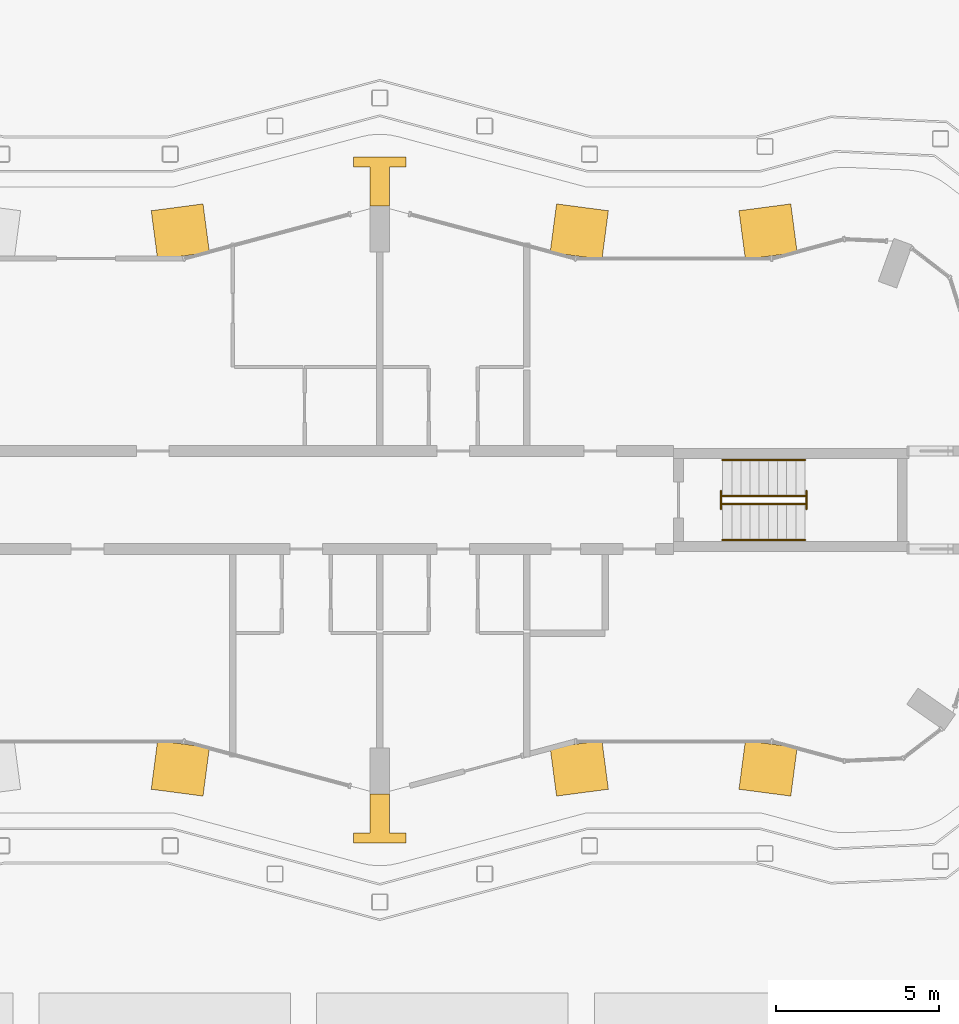
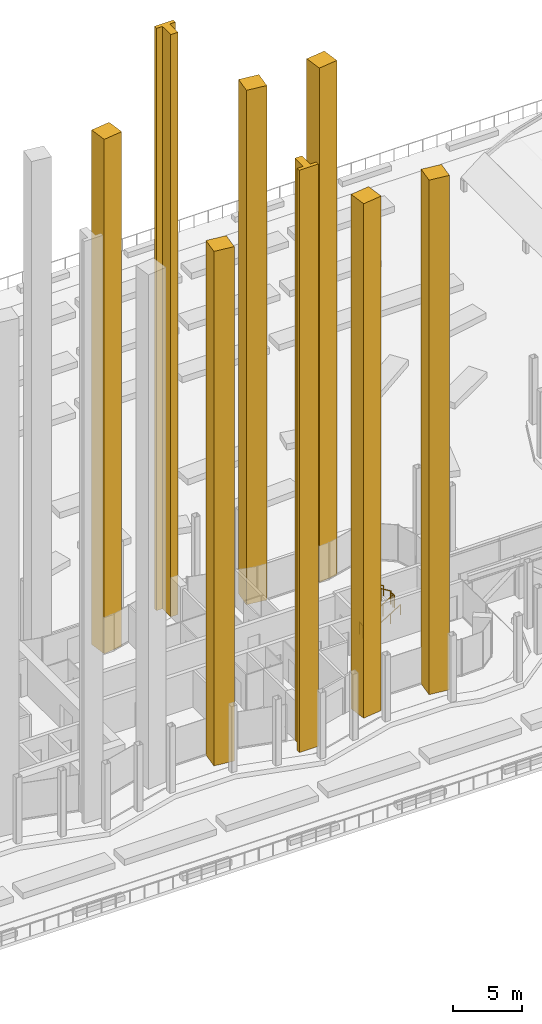
# One storey, part 31 of 33: 8 coverings, 6 railings.
"""IFC4 building model written with IfcOpenShell, lengths in metres."""

from ifc_helpers import new_model, si_unit, direction, frame, origin, origin_2d, place, context, subcontext, project, spatial, polyline, circle, outline, extrude, material, type_object, element, save


model = new_model("IFC4")

# Units and contexts
model_context = context("Model", 3, precision=1e-05, world=origin(), true_north=direction((0.0, 1.0)))
body_context = subcontext(model_context, "Body", "Model", "MODEL_VIEW")
ifc_project = project(units=[si_unit("LENGTHUNIT", "METRE"), si_unit("AREAUNIT", "SQUARE_METRE"), si_unit("VOLUMEUNIT", "CUBIC_METRE"), si_unit("PLANEANGLEUNIT", "RADIAN"), si_unit("MASSUNIT", "GRAM", prefix="KILO")], contexts=[model_context])

# Site, building, storey
site_placement = place(None, origin())
site = spatial("IfcSite", under=ifc_project, at=site_placement, CompositionType="ELEMENT")
building_placement = place(site_placement, origin())
building = spatial("IfcBuilding", under=site, at=building_placement, Name="Plateau Cross Towers", CompositionType="ELEMENT")
storey_placement = place(building_placement, frame((0.0, 0.0, 26.800048828125)))
storey = spatial("IfcBuildingStorey", under=building, at=storey_placement, Name="L05", CompositionType="ELEMENT", Elevation=26.800048828125)

# Coverings
ifc_material_1 = material(Name="Light precast concrete cladding C40/50", Category="concrete")
covering_type_1 = type_object("IfcCoveringType", Name="Flute pier cladding 1600x1500", PredefinedType="CLADDING", material=ifc_material_1)
covering_1_placement = place(storey_placement, origin())
element("IfcCovering", 1, at=covering_1_placement, inside=storey, type_object=covering_type_1, Name="Flute pier", PredefinedType="CLADDING", context=body_context, shape_type="SweptSolid", body=[
    extrude(outline(polyline([(48.7822265625, 16.580322265625), (47.19580078125, 16.37158203125), (47.000244140625, 17.85888671875), (48.58642578125, 18.067626953125), (48.7822265625, 16.580322265625)])), origin(), (0.0, 0.0, 1.0), 45.5),
])
covering_2_placement = place(storey_placement, origin())
element("IfcCovering", 2, at=covering_2_placement, inside=storey, type_object=covering_type_1, Name="Flute pier", PredefinedType="CLADDING", context=body_context, shape_type="SweptSolid", body=[
    extrude(outline(polyline([(42.80419921875, 16.37158203125), (41.2177734375, 16.580322265625), (41.41357421875, 18.067626953125), (42.999755859375, 17.85888671875), (42.80419921875, 16.37158203125)])), origin(), (0.0, 0.0, 1.0), 45.5),
])
covering_3_placement = place(storey_placement, origin())
element("IfcCovering", 3, at=covering_3_placement, inside=storey, type_object=covering_type_1, Name="Flute pier", PredefinedType="CLADDING", context=body_context, shape_type="SweptSolid", body=[
    extrude(outline(polyline([(30.7822265625, 16.580322265625), (29.19580078125, 16.37158203125), (29.000244140625, 17.85888671875), (30.58642578125, 18.067626953125), (30.7822265625, 16.580322265625)])), origin(), (0.0, 0.0, 1.0), 45.5),
])
covering_4_placement = place(storey_placement, origin())
element("IfcCovering", 4, at=covering_4_placement, inside=storey, type_object=covering_type_1, Name="Flute pier", PredefinedType="CLADDING", context=body_context, shape_type="SweptSolid", body=[
    extrude(outline(polyline([(29.19580078125, 1.62841796875), (30.7822265625, 1.419677734375), (30.58642578125, -0.067626953125), (29.000244140625, 0.14111328125), (29.19580078125, 1.62841796875)])), origin(), (0.0, 0.0, 1.0), 45.5),
])
covering_5_placement = place(storey_placement, origin())
element("IfcCovering", 5, at=covering_5_placement, inside=storey, type_object=covering_type_1, Name="Flute pier", PredefinedType="CLADDING", context=body_context, shape_type="SweptSolid", body=[
    extrude(outline(polyline([(41.2177734375, 1.419677734375), (42.80419921875, 1.62841796875), (42.999755859375, 0.14111328125), (41.41357421875, -0.067626953125), (41.2177734375, 1.419677734375)])), origin(), (0.0, 0.0, 1.0), 45.5),
])
covering_6_placement = place(storey_placement, origin())
element("IfcCovering", 6, at=covering_6_placement, inside=storey, type_object=covering_type_1, Name="Flute pier", PredefinedType="CLADDING", context=body_context, shape_type="SweptSolid", body=[
    extrude(outline(polyline([(47.19580078125, 1.62841796875), (48.7822265625, 1.419677734375), (48.58642578125, -0.067626953125), (47.000244140625, 0.14111328125), (47.19580078125, 1.62841796875)])), origin(), (0.0, 0.0, 1.0), 45.5),
])
covering_type_2 = type_object("IfcCoveringType", Name="Pier fin cladding 1600x1500", PredefinedType="CLADDING", material=ifc_material_1)
covering_7_placement = place(storey_placement, origin())
element("IfcCovering", 7, at=covering_7_placement, inside=storey, type_object=covering_type_2, Name="Pier fin PR2", PredefinedType="CLADDING", context=body_context, shape_type="SweptSolid", body=[
    extrude(outline(polyline([(35.699951171875, 0.0), (36.300048828125, 0.0), (36.300048828125, -1.199951171875), (36.800048828125, -1.199951171875), (36.800048828125, -1.5), (35.199951171875, -1.5), (35.199951171875, -1.199951171875), (35.699951171875, -1.199951171875), (35.699951171875, 0.0)])), origin(), (0.0, 0.0, 1.0), 51.5),
])
covering_8_placement = place(storey_placement, origin())
element("IfcCovering", 8, at=covering_8_placement, inside=storey, type_object=covering_type_2, Name="Pier fin PR5", PredefinedType="CLADDING", context=body_context, shape_type="SweptSolid", body=[
    extrude(outline(polyline([(35.699951171875, 18.0), (36.300048828125, 18.0), (36.300048828125, 19.199951171875), (36.800048828125, 19.199951171875), (36.800048828125, 19.5), (35.199951171875, 19.5), (35.199951171875, 19.199951171875), (35.699951171875, 19.199951171875), (35.699951171875, 18.0)])), origin(), (0.0, 0.0, 1.0), 51.5),
])

# Railings
ifc_material_2 = material(Name="Stainless steel and toughened glass", Category="steel")
railing_type_1 = type_object("IfcRailingType", Name="RL-GUARD-1100", PredefinedType="GUARDRAIL", material=ifc_material_2)
railing_1_placement = place(storey_placement, frame((46.5, 8.875, 0.175048828125)))
element("IfcRailing", 9, at=railing_1_placement, inside=storey, type_object=railing_type_1, Name="L05 ES-E stair guard 1", PredefinedType="GUARDRAIL", context=body_context, shape_type="SweptSolid", body=[
    extrude(circle(Radius=0.02392578125, at=origin_2d()), frame((0.0, 0.0, 1.076171875), z_axis=(0.848007534815, 0.0, 0.529984170421), x_axis=(0.0, 1.0, 0.0)), (0.0, 0.0, 1.0), 2.9716796875),
    extrude(circle(Radius=0.02099609375, at=origin_2d()), origin(), (0.0, 0.0, 1.0), 1.052001953125),
    extrude(circle(Radius=0.02099609375, at=origin_2d()), frame((0.840087890625, 0.0, 0.52490234375)), (0.0, 0.0, 1.0), 1.052001953125),
    extrude(circle(Radius=0.02099609375, at=origin_2d()), frame((1.679931640625, 0.0, 1.050048828125)), (0.0, 0.0, 1.0), 1.052001953125),
    extrude(circle(Radius=0.02099609375, at=origin_2d()), frame((2.52001953125, 0.0, 1.574951171875)), (0.0, 0.0, 1.0), 1.052001953125),
])
railing_2_placement = place(storey_placement, frame((49.070068359375, 8.72509765625, 1.75)))
element("IfcRailing", 10, at=railing_2_placement, inside=storey, type_object=railing_type_1, Name="L05 ES-E stair guard 2", PredefinedType="GUARDRAIL", context=body_context, shape_type="SweptSolid", body=[
    extrude(circle(Radius=0.02392578125, at=origin_2d()), frame((0.0, 0.0, 1.076171875), z_axis=(0.0, 1.0, 0.0), x_axis=(-1.0, 0.0, 0.0)), (0.0, 0.0, 1.0), 0.5498046875),
    extrude(circle(Radius=0.02099609375, at=origin_2d()), origin(), (0.0, 0.0, 1.0), 1.052001953125),
    extrude(circle(Radius=0.02099609375, at=origin_2d()), frame((0.0, 0.5498046875, 0.0)), (0.0, 0.0, 1.0), 1.052001953125),
])
railing_3_placement = place(storey_placement, frame((49.02001953125, 9.125, 1.925048828125)))
element("IfcRailing", 11, at=railing_3_placement, inside=storey, type_object=railing_type_1, Name="L05 ES-E stair guard 3", PredefinedType="GUARDRAIL", context=body_context, shape_type="SweptSolid", body=[
    extrude(circle(Radius=0.02392578125, at=origin_2d()), frame((0.0, 0.0, 1.076171875), z_axis=(-0.852638500773, 0.0, 0.522501279423), x_axis=(0.0, -1.0, 0.0)), (0.0, 0.0, 1.0), 3.01416015625),
    extrude(circle(Radius=0.02099609375, at=origin_2d()), origin(), (0.0, 0.0, 1.0), 1.052001953125),
    extrude(circle(Radius=0.02099609375, at=origin_2d()), frame((-0.856689453125, 0.0, 0.52490234375)), (0.0, 0.0, 1.0), 1.052001953125),
    extrude(circle(Radius=0.02099609375, at=origin_2d()), frame((-1.71337890625, 0.0, 1.050048828125)), (0.0, 0.0, 1.0), 1.052001953125),
    extrude(circle(Radius=0.02099609375, at=origin_2d()), frame((-2.570068359375, 0.0, 1.574951171875)), (0.0, 0.0, 1.0), 1.052001953125),
])
railing_4_placement = place(storey_placement, frame((46.449951171875, 8.72509765625, 0.0)))
element("IfcRailing", 12, at=railing_4_placement, inside=storey, type_object=railing_type_1, Name="L05 ES-E stair guard 4", PredefinedType="GUARDRAIL", context=body_context, shape_type="SweptSolid", body=[
    extrude(circle(Radius=0.02392578125, at=origin_2d()), frame((0.0, 0.0, 1.076171875), z_axis=(0.0, 1.0, 0.0), x_axis=(-1.0, 0.0, 0.0)), (0.0, 0.0, 1.0), 0.5498046875),
    extrude(circle(Radius=0.02099609375, at=origin_2d()), origin(), (0.0, 0.0, 1.0), 1.052001953125),
    extrude(circle(Radius=0.02099609375, at=origin_2d()), frame((0.0, 0.5498046875, 0.0)), (0.0, 0.0, 1.0), 1.052001953125),
])
ifc_material_3 = material(Name="Black anodised aluminium", Category="aluminium")
railing_type_2 = type_object("IfcRailingType", Name="RL-HANDRAIL-900", PredefinedType="HANDRAIL", material=ifc_material_3)
railing_5_placement = place(storey_placement, frame((46.5, 7.77490234375, 0.175048828125)))
element("IfcRailing", 13, at=railing_5_placement, inside=storey, type_object=railing_type_2, Name="L05 ES-E stair handrail 1", PredefinedType="HANDRAIL", context=body_context, shape_type="SweptSolid", body=[
    extrude(circle(Radius=0.02392578125, at=origin_2d()), frame((0.0, 0.0, 0.8759765625), z_axis=(0.848007534815, 0.0, 0.529984170421), x_axis=(0.0, 1.0, 0.0)), (0.0, 0.0, 1.0), 2.9716796875),
    extrude(circle(Radius=0.02099609375, at=origin_2d()), origin(), (0.0, 0.0, 1.0), 0.851806640625),
    extrude(circle(Radius=0.02099609375, at=origin_2d()), frame((0.840087890625, 0.0, 0.52490234375)), (0.0, 0.0, 1.0), 0.851806640625),
    extrude(circle(Radius=0.02099609375, at=origin_2d()), frame((1.679931640625, 0.0, 1.050048828125)), (0.0, 0.0, 1.0), 0.851806640625),
    extrude(circle(Radius=0.02099609375, at=origin_2d()), frame((2.52001953125, 0.0, 1.574951171875)), (0.0, 0.0, 1.0), 0.851806640625),
])
railing_6_placement = place(storey_placement, frame((49.02001953125, 10.22509765625, 1.925048828125)))
element("IfcRailing", 14, at=railing_6_placement, inside=storey, type_object=railing_type_2, Name="L05 ES-E stair handrail 2", PredefinedType="HANDRAIL", context=body_context, shape_type="SweptSolid", body=[
    extrude(circle(Radius=0.02392578125, at=origin_2d()), frame((0.0, 0.0, 0.8759765625), z_axis=(-0.848007534815, 0.0, 0.529984170421), x_axis=(0.0, -1.0, 0.0)), (0.0, 0.0, 1.0), 2.9716796875),
    extrude(circle(Radius=0.02099609375, at=origin_2d()), origin(), (0.0, 0.0, 1.0), 0.851806640625),
    extrude(circle(Radius=0.02099609375, at=origin_2d()), frame((-0.840087890625, 0.0, 0.52490234375)), (0.0, 0.0, 1.0), 0.851806640625),
    extrude(circle(Radius=0.02099609375, at=origin_2d()), frame((-1.679931640625, 0.0, 1.050048828125)), (0.0, 0.0, 1.0), 0.851806640625),
    extrude(circle(Radius=0.02099609375, at=origin_2d()), frame((-2.52001953125, 0.0, 1.574951171875)), (0.0, 0.0, 1.0), 0.851806640625),
])

save(model, "model.ifc")
